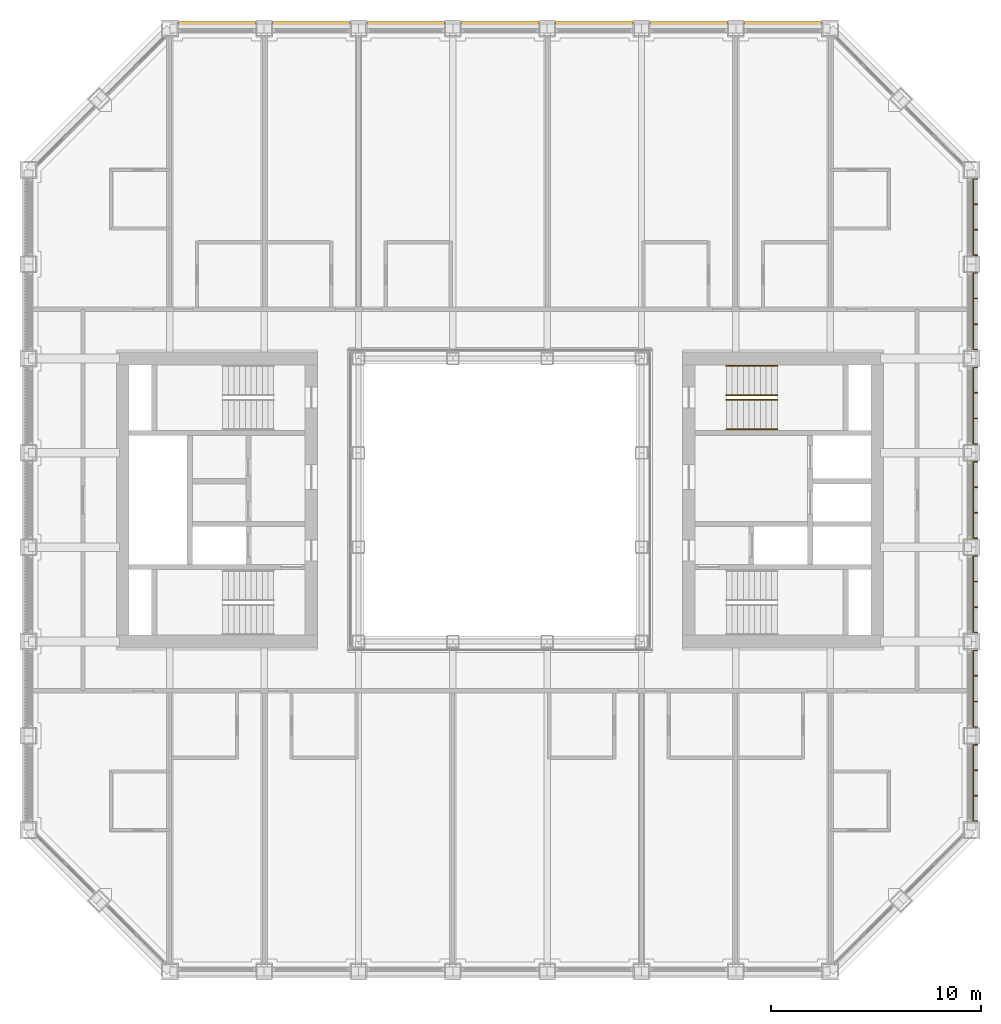
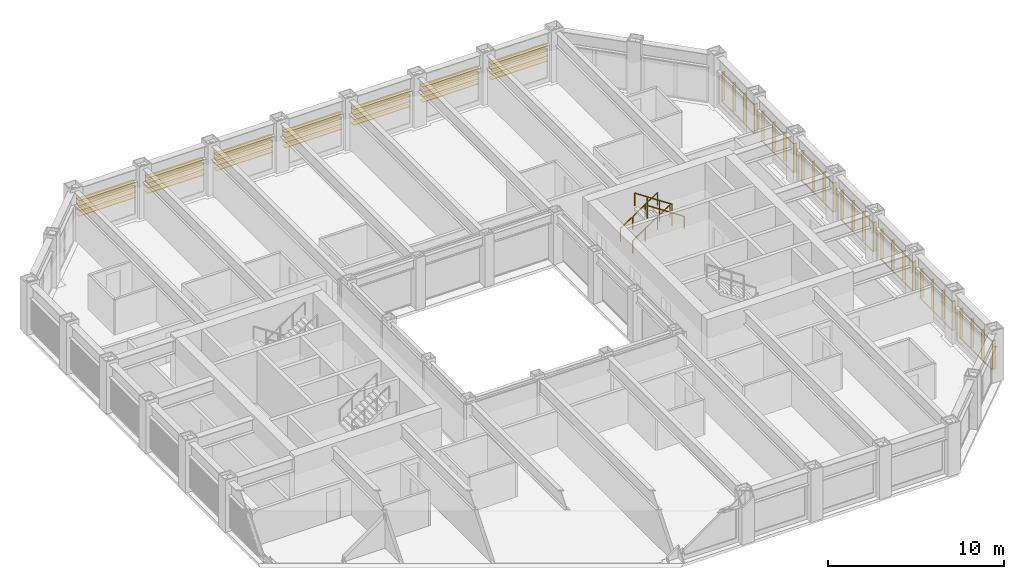
# One storey, part 17 of 17: 4 railings, 2 shading devices.
"""IFC4 building model written with IfcOpenShell, lengths in metres."""

import ifcopenshell
import ifcopenshell.guid

model = None  # the IFC model being written
_history = None  # IfcOwnerHistory: only IFC2X3 demands one
_inside = {}  # id of a spatial element -> (the spatial element, [elements in it])
_under = {}  # id of a project, library or spatial element -> (it, [spatial elements below it])
_declared = {}  # id of a project -> (the project, [libraries it declares])
_typed = {}  # id of a type object -> (the type object, [elements of that type])
_made_of = {}  # id of a material, layer set ... -> (it, [elements and type objects made of it])


def new_model(schema):
    """Start an empty IFC model of exactly this schema.

    Asked for "IFC4X3", IfcOpenShell would pick the latest addendum, in which some entities
    have other attributes; the version numbers below select the first issue.
    IFC2X3 requires an IfcOwnerHistory on every rooted entity: one is made here for all.
    """
    global model, _history
    if schema == "IFC4X3":
        model = ifcopenshell.file(schema_version=(4, 3, 0, 0))
    else:
        model = ifcopenshell.file(schema=schema)
    _inside.clear()
    _under.clear()
    _declared.clear()
    _typed.clear()
    _made_of.clear()
    _history = None
    if model.schema == "IFC2X3":
        org = make("IfcOrganization", Name="unknown")
        user = make(
            "IfcPersonAndOrganization",
            ThePerson=make("IfcPerson", FamilyName="unknown"),
            TheOrganization=org,
        )
        app = make(
            "IfcApplication",
            ApplicationDeveloper=org,
            Version="unknown",
            ApplicationFullName="unknown",
            ApplicationIdentifier="unknown",
        )
        _history = make(
            "IfcOwnerHistory",
            OwningUser=user,
            OwningApplication=app,
            ChangeAction="ADDED",
            CreationDate=0,
        )
    return model


def make(cls, **values):
    """One entity of the class cls with the attributes given. An attribute that is None is left unset."""
    return model.create_entity(
        cls, **{name: value for name, value in values.items() if value is not None}
    )


def rooted(cls, **values):
    """An entity with a GlobalId (a new one), such as an element, a storey or a relation."""
    return make(cls, GlobalId=ifcopenshell.guid.new(), OwnerHistory=_history, **values)


def si_unit(unit_type, name, prefix=None):
    """IfcSIUnit, for example si_unit("LENGTHUNIT", "METRE", prefix="MILLI")."""
    return make("IfcSIUnit", UnitType=unit_type, Prefix=prefix, Name=name)


def assignment(units):
    """IfcUnitAssignment: the units of a project."""
    return None if units is None else make("IfcUnitAssignment", Units=units)


def point(xyz):
    """IfcCartesianPoint."""
    return None if xyz is None else make("IfcCartesianPoint", Coordinates=xyz)


def direction(xyz):
    """IfcDirection."""
    return None if xyz is None else make("IfcDirection", DirectionRatios=xyz)


def frame(location, z_axis=None, x_axis=None):
    """IfcAxis2Placement3D, a coordinate frame: its origin and axes. An axis left out is left unset."""
    return make(
        "IfcAxis2Placement3D",
        Location=point(location),
        Axis=direction(z_axis),
        RefDirection=direction(x_axis),
    )


def frame_2d(location, x_axis=None):
    """IfcAxis2Placement2D, a coordinate frame in the plane: its origin and x axis."""
    return make(
        "IfcAxis2Placement2D", Location=point(location), RefDirection=direction(x_axis)
    )


def origin():
    """The frame at (0, 0, 0) with its axes left unset."""
    return frame((0.0, 0.0, 0.0))


def origin_2d():
    """The frame at (0, 0) in the plane with its x axis left unset."""
    return frame_2d((0.0, 0.0))


def place(relative_to, where):
    """IfcLocalPlacement: puts the frame where relative to a parent placement (None: the world)."""
    return make(
        "IfcLocalPlacement", PlacementRelTo=relative_to, RelativePlacement=where
    )


def context(
    kind, dimensions, precision=None, world=None, true_north=None, identifier=None
):
    """IfcGeometricRepresentationContext, for example the 3D "Model" context."""
    return make(
        "IfcGeometricRepresentationContext",
        ContextIdentifier=identifier,
        ContextType=kind,
        CoordinateSpaceDimension=dimensions,
        Precision=precision,
        WorldCoordinateSystem=world,
        TrueNorth=true_north,
    )


def subcontext(parent, identifier, kind, view, scale=None):
    """IfcGeometricRepresentationSubContext, for example "Body" below "Model"."""
    return make(
        "IfcGeometricRepresentationSubContext",
        ContextIdentifier=identifier,
        ContextType=kind,
        ParentContext=parent,
        TargetScale=scale,
        TargetView=view,
    )


def project(units=None, contexts=None):
    """IfcProject with its units and contexts."""
    return rooted(
        "IfcProject",
        Name="project",
        RepresentationContexts=contexts,
        UnitsInContext=assignment(units),
    )


def spatial(cls, under=None, at=None, **own):
    """A site, building, storey or space (cls), placed at a placement, below another one or the project."""
    s = rooted(cls, ObjectPlacement=at, **own)
    if under is not None:
        _under.setdefault(under.id(), (under, []))[1].append(s)
    return s


def profile(cls, at=None, kind="AREA", **sizes):
    """A parametric profile (cls). Its sizes go by their IFC names, for example OverallWidth=200.0."""
    return make(cls, ProfileType=kind, Position=at, **sizes)


def rectangle(**sizes):
    """IfcRectangleProfileDef."""
    return profile("IfcRectangleProfileDef", **sizes)


def circle(**sizes):
    """IfcCircleProfileDef."""
    return profile("IfcCircleProfileDef", **sizes)


def extrude(swept, where, along, depth):
    """IfcExtrudedAreaSolid: the profile swept, set in the frame where, extruded along a direction by depth."""
    return make(
        "IfcExtrudedAreaSolid",
        SweptArea=swept,
        Position=where,
        ExtrudedDirection=direction(along),
        Depth=depth,
    )


def shape(context_of_items, identifier, shape_type, items):
    """IfcShapeRepresentation: the items that make up one representation, for example the "Body"."""
    return make(
        "IfcShapeRepresentation",
        ContextOfItems=context_of_items,
        RepresentationIdentifier=identifier,
        RepresentationType=shape_type,
        Items=items,
    )


def material(Name=None, Category=None):
    """IfcMaterial."""
    return make("IfcMaterial", Name=Name, Category=Category)


def made_of(thing, what):
    """Note that an element or type object is made of a material, layer set ...; save() writes the relation."""
    if what is not None:
        _made_of.setdefault(what.id(), (what, []))[1].append(thing)
    return thing


def type_object(cls, material=None, **own):
    """A type object (cls), such as IfcWallType, which elements share."""
    return made_of(rooted(cls, **own), material)


def element(
    cls,
    number,
    at=None,
    inside=None,
    cuts=None,
    type_object=None,
    material=None,
    context=None,
    identifier="Body",
    shape_type=None,
    held_by="IfcProductDefinitionShape",
    body=None,
    shapes=None,
    **own,
):
    """One element of the class cls, such as IfcWall. Its Tag is "e" and its number.

    at: its placement. inside: the storey or other place that contains it. cuts: it is an
    opening in that element (IfcRelVoidsElement). A single representation is given by context,
    identifier, shape_type and body (its items); several are given by shapes. held_by: the class
    of the entity that holds the representations. save() writes the other relations.
    """
    e = rooted(cls, Tag="e%d" % number, ObjectPlacement=at, **own)
    if body is not None:
        shapes = [shape(context, identifier, shape_type, body)]
    if shapes is not None:
        e.Representation = make(held_by, Representations=shapes)
    if inside is not None:
        _inside.setdefault(inside.id(), (inside, []))[1].append(e)
    if cuts is not None:
        rooted(
            "IfcRelVoidsElement", RelatingBuildingElement=cuts, RelatedOpeningElement=e
        )
    if type_object is not None:
        _typed.setdefault(type_object.id(), (type_object, []))[1].append(e)
    return made_of(e, material)


def aggregate(whole, parts):
    """IfcRelAggregates: a whole, such as a stair, and the parts it consists of."""
    return rooted("IfcRelAggregates", RelatingObject=whole, RelatedObjects=parts)


def save(model, path):
    """Write the relations noted so far, then the file.

    IfcRelAggregates (storeys below a building ...), IfcRelContainedInSpatialStructure (elements
    in a storey), IfcRelDefinesByType, IfcRelAssociatesMaterial and IfcRelDeclares: one each for
    every whole, place, type object, material and project.
    """
    for whole, parts in _under.values():
        aggregate(whole, parts)
    for where, things in _inside.values():
        rooted(
            "IfcRelContainedInSpatialStructure",
            RelatedElements=things,
            RelatingStructure=where,
        )
    for kind, things in _typed.values():
        rooted("IfcRelDefinesByType", RelatedObjects=things, RelatingType=kind)
    for what, things in _made_of.values():
        rooted("IfcRelAssociatesMaterial", RelatedObjects=things, RelatingMaterial=what)
    for by, libraries in _declared.values():
        rooted("IfcRelDeclares", RelatingContext=by, RelatedDefinitions=libraries)
    model.write(path)


model = new_model("IFC4")

# Units and contexts
model_context = context("Model", 3, precision=1e-05, world=origin(), true_north=direction((0.0, 1.0)))
body_context = subcontext(model_context, "Body", "Model", "MODEL_VIEW")
ifc_project = project(units=[si_unit("LENGTHUNIT", "METRE"), si_unit("AREAUNIT", "SQUARE_METRE"), si_unit("VOLUMEUNIT", "CUBIC_METRE"), si_unit("PLANEANGLEUNIT", "RADIAN"), si_unit("MASSUNIT", "GRAM", prefix="KILO")], contexts=[model_context])

# Site, building, storey
site_placement = place(None, origin())
site = spatial("IfcSite", under=ifc_project, at=site_placement, CompositionType="ELEMENT")
building_placement = place(site_placement, origin())
building = spatial("IfcBuilding", under=site, at=building_placement, Name="Msasa Ring Tower", CompositionType="ELEMENT")
storey_placement = place(building_placement, frame((0.0, 0.0, 129.199951171875)))
storey = spatial("IfcBuildingStorey", under=building, at=storey_placement, Name="L33", CompositionType="ELEMENT", Elevation=129.199951171875)

# Shading device
ifc_material_1 = material(Name="Extruded terracotta on aluminium carriers", Category="masonry")
shading_device_type_1 = type_object("IfcShadingDeviceType", Name="BS2 TERRACOTTA FIN SCREEN 40x200 AT 1350", PredefinedType="USERDEFINED", material=ifc_material_1)
shading_device_1_placement = place(storey_placement, origin())
element("IfcShadingDevice", 1, at=shading_device_1_placement, inside=storey, type_object=shading_device_type_1, Name="Terracotta fin screen E L33", ObjectType="BAGUETTE", PredefinedType="USERDEFINED", context=body_context, shape_type="SweptSolid", body=[
    extrude(rectangle(XDim=0.06005859375, YDim=0.0400390625, at=origin_2d()), frame((22.580078125, -15.35009765625, 0.330078125), z_axis=(0.0, 1.0, 0.0), x_axis=(0.0, 0.0, 1.0)), (0.0, 0.0, 1.0), 3.699951171875),
    extrude(rectangle(XDim=0.06005859375, YDim=0.0400390625, at=origin_2d()), frame((22.580078125, -15.35009765625, 2.299072265625), z_axis=(0.0, 1.0, 0.0), x_axis=(0.0, 0.0, 1.0)), (0.0, 0.0, 1.0), 3.699951171875),
    extrude(rectangle(XDim=0.0400390625, YDim=0.199951171875, at=origin_2d()), frame((22.695068359375, -15.330078125, 0.300048828125), z_axis=(0.0, 0.0, 1.0), x_axis=(0.0, 1.0, 0.0)), (0.0, 0.0, 1.0), 2.029052734375),
    extrude(rectangle(XDim=0.0400390625, YDim=0.199951171875, at=origin_2d()), frame((22.695068359375, -14.110107421875, 0.300048828125), z_axis=(0.0, 0.0, 1.0), x_axis=(0.0, 1.0, 0.0)), (0.0, 0.0, 1.0), 2.029052734375),
    extrude(rectangle(XDim=0.0400390625, YDim=0.199951171875, at=origin_2d()), frame((22.695068359375, -12.889892578125, 0.300048828125), z_axis=(0.0, 0.0, 1.0), x_axis=(0.0, 1.0, 0.0)), (0.0, 0.0, 1.0), 2.029052734375),
    extrude(rectangle(XDim=0.0400390625, YDim=0.199951171875, at=origin_2d()), frame((22.695068359375, -11.669921875, 0.300048828125), z_axis=(0.0, 0.0, 1.0), x_axis=(0.0, 1.0, 0.0)), (0.0, 0.0, 1.0), 2.029052734375),
    extrude(rectangle(XDim=0.06005859375, YDim=0.0400390625, at=origin_2d()), frame((22.580078125, -10.85009765625, 0.330078125), z_axis=(0.0, 1.0, 0.0), x_axis=(0.0, 0.0, 1.0)), (0.0, 0.0, 1.0), 3.699951171875),
    extrude(rectangle(XDim=0.06005859375, YDim=0.0400390625, at=origin_2d()), frame((22.580078125, -10.85009765625, 2.299072265625), z_axis=(0.0, 1.0, 0.0), x_axis=(0.0, 0.0, 1.0)), (0.0, 0.0, 1.0), 3.699951171875),
    extrude(rectangle(XDim=0.0400390625, YDim=0.199951171875, at=origin_2d()), frame((22.695068359375, -10.830078125, 0.300048828125), z_axis=(0.0, 0.0, 1.0), x_axis=(0.0, 1.0, 0.0)), (0.0, 0.0, 1.0), 2.029052734375),
    extrude(rectangle(XDim=0.0400390625, YDim=0.199951171875, at=origin_2d()), frame((22.695068359375, -9.610107421875, 0.300048828125), z_axis=(0.0, 0.0, 1.0), x_axis=(0.0, 1.0, 0.0)), (0.0, 0.0, 1.0), 2.029052734375),
    extrude(rectangle(XDim=0.0400390625, YDim=0.199951171875, at=origin_2d()), frame((22.695068359375, -8.389892578125, 0.300048828125), z_axis=(0.0, 0.0, 1.0), x_axis=(0.0, 1.0, 0.0)), (0.0, 0.0, 1.0), 2.029052734375),
    extrude(rectangle(XDim=0.0400390625, YDim=0.199951171875, at=origin_2d()), frame((22.695068359375, -7.169921875, 0.300048828125), z_axis=(0.0, 0.0, 1.0), x_axis=(0.0, 1.0, 0.0)), (0.0, 0.0, 1.0), 2.029052734375),
    extrude(rectangle(XDim=0.06005859375, YDim=0.0400390625, at=origin_2d()), frame((22.580078125, -6.35009765625, 0.330078125), z_axis=(0.0, 1.0, 0.0), x_axis=(0.0, 0.0, 1.0)), (0.0, 0.0, 1.0), 3.699951171875),
    extrude(rectangle(XDim=0.06005859375, YDim=0.0400390625, at=origin_2d()), frame((22.580078125, -6.35009765625, 2.299072265625), z_axis=(0.0, 1.0, 0.0), x_axis=(0.0, 0.0, 1.0)), (0.0, 0.0, 1.0), 3.699951171875),
    extrude(rectangle(XDim=0.0400390625, YDim=0.199951171875, at=origin_2d()), frame((22.695068359375, -6.330078125, 0.300048828125), z_axis=(0.0, 0.0, 1.0), x_axis=(0.0, 1.0, 0.0)), (0.0, 0.0, 1.0), 2.029052734375),
    extrude(rectangle(XDim=0.0400390625, YDim=0.199951171875, at=origin_2d()), frame((22.695068359375, -5.110107421875, 0.300048828125), z_axis=(0.0, 0.0, 1.0), x_axis=(0.0, 1.0, 0.0)), (0.0, 0.0, 1.0), 2.029052734375),
    extrude(rectangle(XDim=0.0400390625, YDim=0.199951171875, at=origin_2d()), frame((22.695068359375, -3.889892578125, 0.300048828125), z_axis=(0.0, 0.0, 1.0), x_axis=(0.0, 1.0, 0.0)), (0.0, 0.0, 1.0), 2.029052734375),
    extrude(rectangle(XDim=0.0400390625, YDim=0.199951171875, at=origin_2d()), frame((22.695068359375, -2.669921875, 0.300048828125), z_axis=(0.0, 0.0, 1.0), x_axis=(0.0, 1.0, 0.0)), (0.0, 0.0, 1.0), 2.029052734375),
    extrude(rectangle(XDim=0.06005859375, YDim=0.0400390625, at=origin_2d()), frame((22.580078125, -1.85009765625, 0.330078125), z_axis=(0.0, 1.0, 0.0), x_axis=(0.0, 0.0, 1.0)), (0.0, 0.0, 1.0), 3.699951171875),
    extrude(rectangle(XDim=0.06005859375, YDim=0.0400390625, at=origin_2d()), frame((22.580078125, -1.85009765625, 2.299072265625), z_axis=(0.0, 1.0, 0.0), x_axis=(0.0, 0.0, 1.0)), (0.0, 0.0, 1.0), 3.699951171875),
    extrude(rectangle(XDim=0.0400390625, YDim=0.199951171875, at=origin_2d()), frame((22.695068359375, -1.830078125, 0.300048828125), z_axis=(0.0, 0.0, 1.0), x_axis=(0.0, 1.0, 0.0)), (0.0, 0.0, 1.0), 2.029052734375),
    extrude(rectangle(XDim=0.0400390625, YDim=0.199951171875, at=origin_2d()), frame((22.695068359375, -0.610107421875, 0.300048828125), z_axis=(0.0, 0.0, 1.0), x_axis=(0.0, 1.0, 0.0)), (0.0, 0.0, 1.0), 2.029052734375),
    extrude(rectangle(XDim=0.0400390625, YDim=0.199951171875, at=origin_2d()), frame((22.695068359375, 0.610107421875, 0.300048828125), z_axis=(0.0, 0.0, 1.0), x_axis=(0.0, 1.0, 0.0)), (0.0, 0.0, 1.0), 2.029052734375),
    extrude(rectangle(XDim=0.0400390625, YDim=0.199951171875, at=origin_2d()), frame((22.695068359375, 1.830078125, 0.300048828125), z_axis=(0.0, 0.0, 1.0), x_axis=(0.0, 1.0, 0.0)), (0.0, 0.0, 1.0), 2.029052734375),
    extrude(rectangle(XDim=0.06005859375, YDim=0.0400390625, at=origin_2d()), frame((22.580078125, 2.64990234375, 0.330078125), z_axis=(0.0, 1.0, 0.0), x_axis=(0.0, 0.0, 1.0)), (0.0, 0.0, 1.0), 3.699951171875),
    extrude(rectangle(XDim=0.06005859375, YDim=0.0400390625, at=origin_2d()), frame((22.580078125, 2.64990234375, 2.299072265625), z_axis=(0.0, 1.0, 0.0), x_axis=(0.0, 0.0, 1.0)), (0.0, 0.0, 1.0), 3.699951171875),
    extrude(rectangle(XDim=0.0400390625, YDim=0.199951171875, at=origin_2d()), frame((22.695068359375, 2.669921875, 0.300048828125), z_axis=(0.0, 0.0, 1.0), x_axis=(0.0, 1.0, 0.0)), (0.0, 0.0, 1.0), 2.029052734375),
    extrude(rectangle(XDim=0.0400390625, YDim=0.199951171875, at=origin_2d()), frame((22.695068359375, 3.889892578125, 0.300048828125), z_axis=(0.0, 0.0, 1.0), x_axis=(0.0, 1.0, 0.0)), (0.0, 0.0, 1.0), 2.029052734375),
    extrude(rectangle(XDim=0.0400390625, YDim=0.199951171875, at=origin_2d()), frame((22.695068359375, 5.110107421875, 0.300048828125), z_axis=(0.0, 0.0, 1.0), x_axis=(0.0, 1.0, 0.0)), (0.0, 0.0, 1.0), 2.029052734375),
    extrude(rectangle(XDim=0.0400390625, YDim=0.199951171875, at=origin_2d()), frame((22.695068359375, 6.330078125, 0.300048828125), z_axis=(0.0, 0.0, 1.0), x_axis=(0.0, 1.0, 0.0)), (0.0, 0.0, 1.0), 2.029052734375),
    extrude(rectangle(XDim=0.06005859375, YDim=0.0400390625, at=origin_2d()), frame((22.580078125, 7.14990234375, 0.330078125), z_axis=(0.0, 1.0, 0.0), x_axis=(0.0, 0.0, 1.0)), (0.0, 0.0, 1.0), 3.699951171875),
    extrude(rectangle(XDim=0.06005859375, YDim=0.0400390625, at=origin_2d()), frame((22.580078125, 7.14990234375, 2.299072265625), z_axis=(0.0, 1.0, 0.0), x_axis=(0.0, 0.0, 1.0)), (0.0, 0.0, 1.0), 3.699951171875),
    extrude(rectangle(XDim=0.0400390625, YDim=0.199951171875, at=origin_2d()), frame((22.695068359375, 7.169921875, 0.300048828125), z_axis=(0.0, 0.0, 1.0), x_axis=(0.0, 1.0, 0.0)), (0.0, 0.0, 1.0), 2.029052734375),
    extrude(rectangle(XDim=0.0400390625, YDim=0.199951171875, at=origin_2d()), frame((22.695068359375, 8.389892578125, 0.300048828125), z_axis=(0.0, 0.0, 1.0), x_axis=(0.0, 1.0, 0.0)), (0.0, 0.0, 1.0), 2.029052734375),
    extrude(rectangle(XDim=0.0400390625, YDim=0.199951171875, at=origin_2d()), frame((22.695068359375, 9.610107421875, 0.300048828125), z_axis=(0.0, 0.0, 1.0), x_axis=(0.0, 1.0, 0.0)), (0.0, 0.0, 1.0), 2.029052734375),
    extrude(rectangle(XDim=0.0400390625, YDim=0.199951171875, at=origin_2d()), frame((22.695068359375, 10.830078125, 0.300048828125), z_axis=(0.0, 0.0, 1.0), x_axis=(0.0, 1.0, 0.0)), (0.0, 0.0, 1.0), 2.029052734375),
    extrude(rectangle(XDim=0.06005859375, YDim=0.0400390625, at=origin_2d()), frame((22.580078125, 11.64990234375, 0.330078125), z_axis=(0.0, 1.0, 0.0), x_axis=(0.0, 0.0, 1.0)), (0.0, 0.0, 1.0), 3.699951171875),
    extrude(rectangle(XDim=0.06005859375, YDim=0.0400390625, at=origin_2d()), frame((22.580078125, 11.64990234375, 2.299072265625), z_axis=(0.0, 1.0, 0.0), x_axis=(0.0, 0.0, 1.0)), (0.0, 0.0, 1.0), 3.699951171875),
    extrude(rectangle(XDim=0.0400390625, YDim=0.199951171875, at=origin_2d()), frame((22.695068359375, 11.669921875, 0.300048828125), z_axis=(0.0, 0.0, 1.0), x_axis=(0.0, 1.0, 0.0)), (0.0, 0.0, 1.0), 2.029052734375),
    extrude(rectangle(XDim=0.0400390625, YDim=0.199951171875, at=origin_2d()), frame((22.695068359375, 12.889892578125, 0.300048828125), z_axis=(0.0, 0.0, 1.0), x_axis=(0.0, 1.0, 0.0)), (0.0, 0.0, 1.0), 2.029052734375),
    extrude(rectangle(XDim=0.0400390625, YDim=0.199951171875, at=origin_2d()), frame((22.695068359375, 14.110107421875, 0.300048828125), z_axis=(0.0, 0.0, 1.0), x_axis=(0.0, 1.0, 0.0)), (0.0, 0.0, 1.0), 2.029052734375),
    extrude(rectangle(XDim=0.0400390625, YDim=0.199951171875, at=origin_2d()), frame((22.695068359375, 15.330078125, 0.300048828125), z_axis=(0.0, 0.0, 1.0), x_axis=(0.0, 1.0, 0.0)), (0.0, 0.0, 1.0), 2.029052734375),
])

# Railings
ifc_material_2 = material(Name="Stainless steel", Category="steel")
railing_type = type_object("IfcRailingType", Name="HR1 HANDRAIL 900", PredefinedType="HANDRAIL", material=ifc_material_2)
for number, where, name in (
    (2, (10.800048828125, 5.0, 0.179931640625), "Handrail stair SEB L33 1"),
    (3, (10.800048828125, 6.39990234375, 0.179931640625), "Handrail stair SEB L33 2"),
):
    element("IfcRailing", number, at=place(storey_placement, frame(where)), inside=storey, type_object=railing_type, Name=name, PredefinedType="HANDRAIL", context=body_context, shape_type="SweptSolid", body=[
        extrude(circle(Radius=0.02392578125, at=origin_2d()), frame((0.0, 0.0, 0.8759765625), z_axis=(0.832024571796, 0.0, 0.554738778101), x_axis=(0.0, 1.0, 0.0)), (0.0, 0.0, 1.0), 2.92041015625),
        extrude(circle(Radius=0.02099609375, at=origin_2d()), origin(), (0.0, 0.0, 1.0), 0.851806640625),
        extrude(circle(Radius=0.02099609375, at=origin_2d()), frame((0.81005859375, 0.0, 0.5400390625)), (0.0, 0.0, 1.0), 0.851806640625),
        extrude(circle(Radius=0.02099609375, at=origin_2d()), frame((1.619873046875, 0.0, 1.080078125)), (0.0, 0.0, 1.0), 0.851806640625),
        extrude(circle(Radius=0.02099609375, at=origin_2d()), frame((2.429931640625, 0.0, 1.6201171875)), (0.0, 0.0, 1.0), 0.851806640625),
    ])
for number, where, name in (
    (4, (13.22998046875, 3.375, 1.97998046875), "Handrail stair SEB L33 3"),
    (5, (13.22998046875, 4.77490234375, 1.97998046875), "Handrail stair SEB L33 4"),
):
    element("IfcRailing", number, at=place(storey_placement, frame(where)), inside=storey, type_object=railing_type, Name=name, PredefinedType="HANDRAIL", context=body_context, shape_type="SweptSolid", body=[
        extrude(circle(Radius=0.02392578125, at=origin_2d()), frame((0.0, 0.0, 0.8759765625), z_axis=(-0.832024571796, 0.0, 0.554738778101), x_axis=(0.0, -1.0, 0.0)), (0.0, 0.0, 1.0), 2.92041015625),
        extrude(circle(Radius=0.02099609375, at=origin_2d()), origin(), (0.0, 0.0, 1.0), 0.851806640625),
        extrude(circle(Radius=0.02099609375, at=origin_2d()), frame((-0.81005859375, 0.0, 0.5400390625)), (0.0, 0.0, 1.0), 0.851806640625),
        extrude(circle(Radius=0.02099609375, at=origin_2d()), frame((-1.619873046875, 0.0, 1.080078125)), (0.0, 0.0, 1.0), 0.851806640625),
        extrude(circle(Radius=0.02099609375, at=origin_2d()), frame((-2.429931640625, 0.0, 1.6201171875)), (0.0, 0.0, 1.0), 0.851806640625),
    ])

# Shading device
ifc_material_3 = material(Name="Extruded terracotta blades", Category="masonry")
shading_device_type_2 = type_object("IfcShadingDeviceType", Name="SS1 TERRACOTTA SUNSHADE 4 BLADES 300x40 AT 350", PredefinedType="USERDEFINED", material=ifc_material_3)
shading_device_2_placement = place(storey_placement, origin())
element("IfcShadingDevice", 6, at=shading_device_2_placement, inside=storey, type_object=shading_device_type_2, Name="Terracotta sunshade N L33", ObjectType="SUNSHADE", PredefinedType="USERDEFINED", context=body_context, shape_type="SweptSolid", body=[
    extrude(rectangle(XDim=0.0400390625, YDim=0.300048828125, at=origin_2d()), frame((-15.35009765625, 22.679931640625, 2.30908203125), z_axis=(1.0, 0.0, 0.0), x_axis=(0.0, 0.0, 1.0)), (0.0, 0.0, 1.0), 3.699951171875),
    extrude(rectangle(XDim=0.0400390625, YDim=0.300048828125, at=origin_2d()), frame((-15.35009765625, 22.679931640625, 1.958984375), z_axis=(1.0, 0.0, 0.0), x_axis=(0.0, 0.0, 1.0)), (0.0, 0.0, 1.0), 3.699951171875),
    extrude(rectangle(XDim=0.0400390625, YDim=0.300048828125, at=origin_2d()), frame((-15.35009765625, 22.679931640625, 1.609130859375), z_axis=(1.0, 0.0, 0.0), x_axis=(0.0, 0.0, 1.0)), (0.0, 0.0, 1.0), 3.699951171875),
    extrude(rectangle(XDim=0.0400390625, YDim=0.300048828125, at=origin_2d()), frame((-15.35009765625, 22.679931640625, 1.259033203125), z_axis=(1.0, 0.0, 0.0), x_axis=(0.0, 0.0, 1.0)), (0.0, 0.0, 1.0), 3.699951171875),
    extrude(rectangle(XDim=0.0400390625, YDim=0.300048828125, at=origin_2d()), frame((-10.85009765625, 22.679931640625, 2.30908203125), z_axis=(1.0, 0.0, 0.0), x_axis=(0.0, 0.0, 1.0)), (0.0, 0.0, 1.0), 3.699951171875),
    extrude(rectangle(XDim=0.0400390625, YDim=0.300048828125, at=origin_2d()), frame((-10.85009765625, 22.679931640625, 1.958984375), z_axis=(1.0, 0.0, 0.0), x_axis=(0.0, 0.0, 1.0)), (0.0, 0.0, 1.0), 3.699951171875),
    extrude(rectangle(XDim=0.0400390625, YDim=0.300048828125, at=origin_2d()), frame((-10.85009765625, 22.679931640625, 1.609130859375), z_axis=(1.0, 0.0, 0.0), x_axis=(0.0, 0.0, 1.0)), (0.0, 0.0, 1.0), 3.699951171875),
    extrude(rectangle(XDim=0.0400390625, YDim=0.300048828125, at=origin_2d()), frame((-10.85009765625, 22.679931640625, 1.259033203125), z_axis=(1.0, 0.0, 0.0), x_axis=(0.0, 0.0, 1.0)), (0.0, 0.0, 1.0), 3.699951171875),
    extrude(rectangle(XDim=0.0400390625, YDim=0.300048828125, at=origin_2d()), frame((-6.35009765625, 22.679931640625, 2.30908203125), z_axis=(1.0, 0.0, 0.0), x_axis=(0.0, 0.0, 1.0)), (0.0, 0.0, 1.0), 3.699951171875),
    extrude(rectangle(XDim=0.0400390625, YDim=0.300048828125, at=origin_2d()), frame((-6.35009765625, 22.679931640625, 1.958984375), z_axis=(1.0, 0.0, 0.0), x_axis=(0.0, 0.0, 1.0)), (0.0, 0.0, 1.0), 3.699951171875),
    extrude(rectangle(XDim=0.0400390625, YDim=0.300048828125, at=origin_2d()), frame((-6.35009765625, 22.679931640625, 1.609130859375), z_axis=(1.0, 0.0, 0.0), x_axis=(0.0, 0.0, 1.0)), (0.0, 0.0, 1.0), 3.699951171875),
    extrude(rectangle(XDim=0.0400390625, YDim=0.300048828125, at=origin_2d()), frame((-6.35009765625, 22.679931640625, 1.259033203125), z_axis=(1.0, 0.0, 0.0), x_axis=(0.0, 0.0, 1.0)), (0.0, 0.0, 1.0), 3.699951171875),
    extrude(rectangle(XDim=0.0400390625, YDim=0.300048828125, at=origin_2d()), frame((-1.85009765625, 22.679931640625, 2.30908203125), z_axis=(1.0, 0.0, 0.0), x_axis=(0.0, 0.0, 1.0)), (0.0, 0.0, 1.0), 3.699951171875),
    extrude(rectangle(XDim=0.0400390625, YDim=0.300048828125, at=origin_2d()), frame((-1.85009765625, 22.679931640625, 1.958984375), z_axis=(1.0, 0.0, 0.0), x_axis=(0.0, 0.0, 1.0)), (0.0, 0.0, 1.0), 3.699951171875),
    extrude(rectangle(XDim=0.0400390625, YDim=0.300048828125, at=origin_2d()), frame((-1.85009765625, 22.679931640625, 1.609130859375), z_axis=(1.0, 0.0, 0.0), x_axis=(0.0, 0.0, 1.0)), (0.0, 0.0, 1.0), 3.699951171875),
    extrude(rectangle(XDim=0.0400390625, YDim=0.300048828125, at=origin_2d()), frame((-1.85009765625, 22.679931640625, 1.259033203125), z_axis=(1.0, 0.0, 0.0), x_axis=(0.0, 0.0, 1.0)), (0.0, 0.0, 1.0), 3.699951171875),
    extrude(rectangle(XDim=0.0400390625, YDim=0.300048828125, at=origin_2d()), frame((2.64990234375, 22.679931640625, 2.30908203125), z_axis=(1.0, 0.0, 0.0), x_axis=(0.0, 0.0, 1.0)), (0.0, 0.0, 1.0), 3.699951171875),
    extrude(rectangle(XDim=0.0400390625, YDim=0.300048828125, at=origin_2d()), frame((2.64990234375, 22.679931640625, 1.958984375), z_axis=(1.0, 0.0, 0.0), x_axis=(0.0, 0.0, 1.0)), (0.0, 0.0, 1.0), 3.699951171875),
    extrude(rectangle(XDim=0.0400390625, YDim=0.300048828125, at=origin_2d()), frame((2.64990234375, 22.679931640625, 1.609130859375), z_axis=(1.0, 0.0, 0.0), x_axis=(0.0, 0.0, 1.0)), (0.0, 0.0, 1.0), 3.699951171875),
    extrude(rectangle(XDim=0.0400390625, YDim=0.300048828125, at=origin_2d()), frame((2.64990234375, 22.679931640625, 1.259033203125), z_axis=(1.0, 0.0, 0.0), x_axis=(0.0, 0.0, 1.0)), (0.0, 0.0, 1.0), 3.699951171875),
    extrude(rectangle(XDim=0.0400390625, YDim=0.300048828125, at=origin_2d()), frame((7.14990234375, 22.679931640625, 2.30908203125), z_axis=(1.0, 0.0, 0.0), x_axis=(0.0, 0.0, 1.0)), (0.0, 0.0, 1.0), 3.699951171875),
    extrude(rectangle(XDim=0.0400390625, YDim=0.300048828125, at=origin_2d()), frame((7.14990234375, 22.679931640625, 1.958984375), z_axis=(1.0, 0.0, 0.0), x_axis=(0.0, 0.0, 1.0)), (0.0, 0.0, 1.0), 3.699951171875),
    extrude(rectangle(XDim=0.0400390625, YDim=0.300048828125, at=origin_2d()), frame((7.14990234375, 22.679931640625, 1.609130859375), z_axis=(1.0, 0.0, 0.0), x_axis=(0.0, 0.0, 1.0)), (0.0, 0.0, 1.0), 3.699951171875),
    extrude(rectangle(XDim=0.0400390625, YDim=0.300048828125, at=origin_2d()), frame((7.14990234375, 22.679931640625, 1.259033203125), z_axis=(1.0, 0.0, 0.0), x_axis=(0.0, 0.0, 1.0)), (0.0, 0.0, 1.0), 3.699951171875),
    extrude(rectangle(XDim=0.0400390625, YDim=0.300048828125, at=origin_2d()), frame((11.64990234375, 22.679931640625, 2.30908203125), z_axis=(1.0, 0.0, 0.0), x_axis=(0.0, 0.0, 1.0)), (0.0, 0.0, 1.0), 3.699951171875),
    extrude(rectangle(XDim=0.0400390625, YDim=0.300048828125, at=origin_2d()), frame((11.64990234375, 22.679931640625, 1.958984375), z_axis=(1.0, 0.0, 0.0), x_axis=(0.0, 0.0, 1.0)), (0.0, 0.0, 1.0), 3.699951171875),
    extrude(rectangle(XDim=0.0400390625, YDim=0.300048828125, at=origin_2d()), frame((11.64990234375, 22.679931640625, 1.609130859375), z_axis=(1.0, 0.0, 0.0), x_axis=(0.0, 0.0, 1.0)), (0.0, 0.0, 1.0), 3.699951171875),
    extrude(rectangle(XDim=0.0400390625, YDim=0.300048828125, at=origin_2d()), frame((11.64990234375, 22.679931640625, 1.259033203125), z_axis=(1.0, 0.0, 0.0), x_axis=(0.0, 0.0, 1.0)), (0.0, 0.0, 1.0), 3.699951171875),
])

save(model, "model.ifc")
